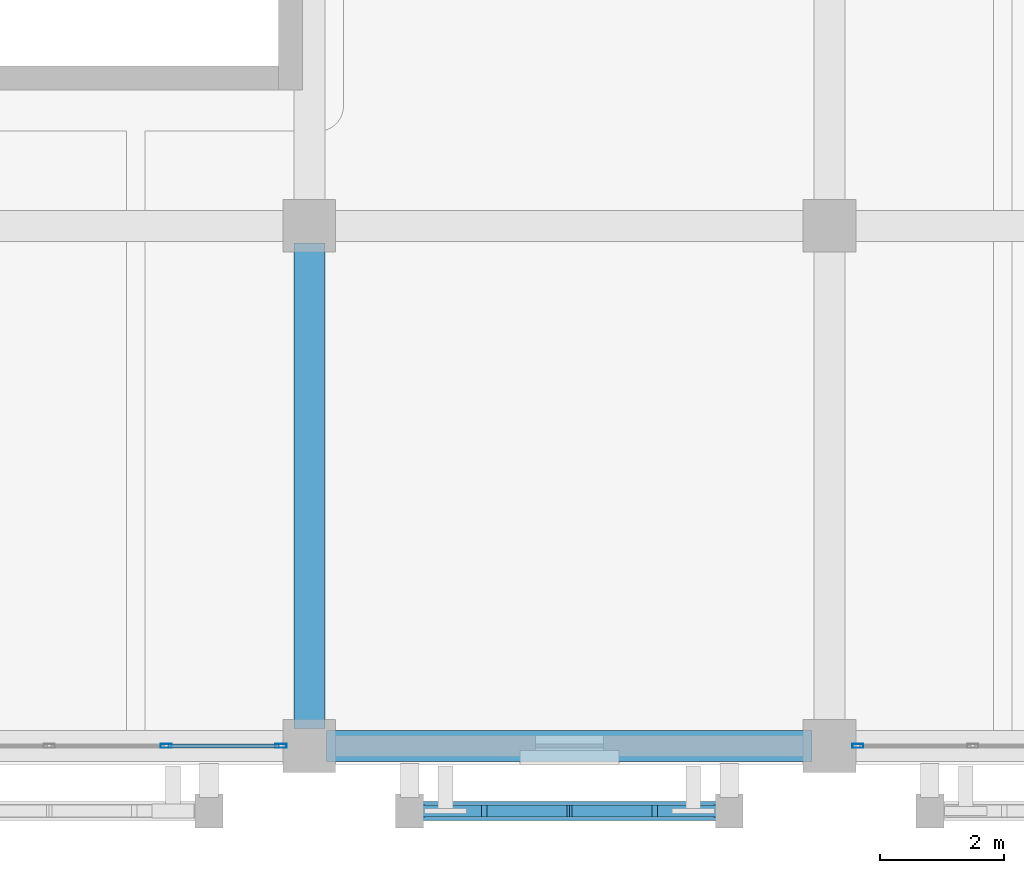
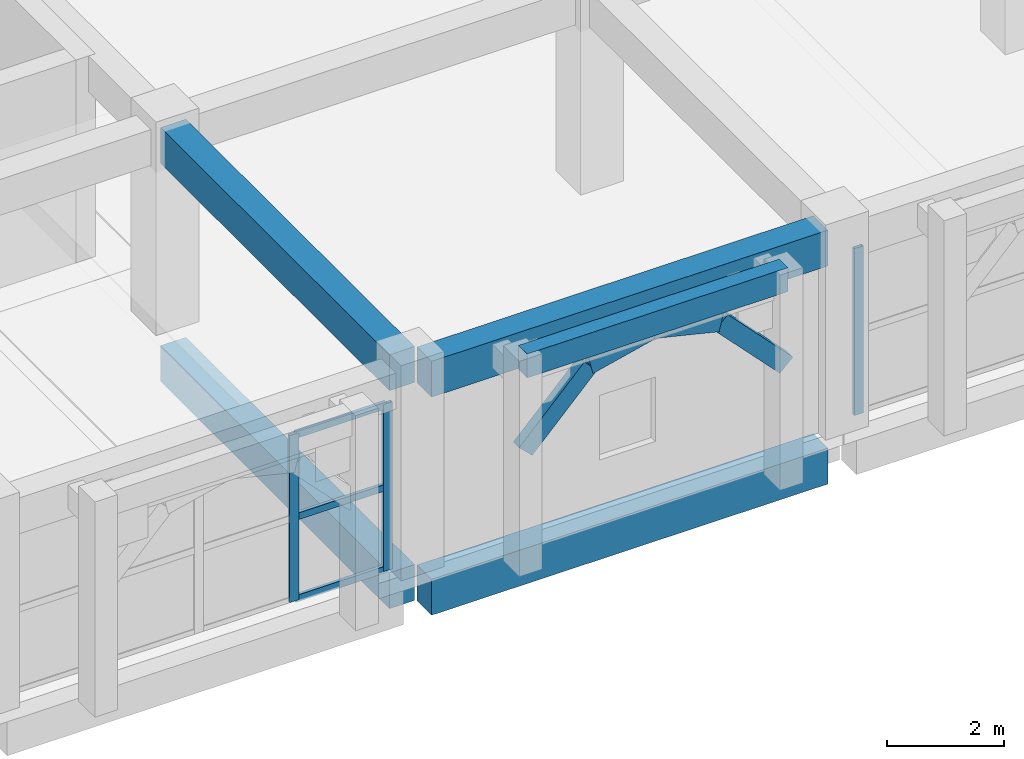
# One storey, part 8 of 129: 10 members, 5 beams, 2 elements without a shape of their own.
"""IFC4 building model written with IfcOpenShell, lengths in metres."""

from ifc_helpers import new_model, si_unit, direction, frame, origin, origin_2d, place, context, subcontext, project, spatial, rectangle, hollow_rectangle, extrude, material, layer, layer_set, material_profile, profile_set, type_object, element, aggregate, save


model = new_model("IFC4")

# Units and contexts
model_context = context("Model", 3, precision=1e-05, world=origin(), true_north=direction((0.0, 1.0)))
body_context = subcontext(model_context, "Body", "Model", "MODEL_VIEW")
ifc_project = project(units=[si_unit("LENGTHUNIT", "METRE"), si_unit("AREAUNIT", "SQUARE_METRE"), si_unit("VOLUMEUNIT", "CUBIC_METRE"), si_unit("PLANEANGLEUNIT", "RADIAN"), si_unit("MASSUNIT", "GRAM", prefix="KILO")], contexts=[model_context])

# Site, building, storey
site_placement = place(None, origin())
site = spatial("IfcSite", under=ifc_project, at=site_placement, CompositionType="ELEMENT")
building_placement = place(site_placement, origin())
building = spatial("IfcBuilding", under=site, at=building_placement, Name="Xazarin Passage Department Store", CompositionType="ELEMENT")
storey_placement = place(building_placement, frame((0.0, 0.0, 9.89990234375)))
storey = spatial("IfcBuildingStorey", under=building, at=storey_placement, Name="L02", CompositionType="ELEMENT", Elevation=9.89990234375)

# Curtain wall, members
ifc_material_1 = material(Name="Bronze anodised aluminium", Category="aluminium")
ifc_layer = layer(ifc_material_1, 0.18994140625)
ifc_layer_set = layer_set([ifc_layer], Name="Bronze anodised aluminium")
curtain_wall_type = type_object("IfcCurtainWallType", Name="ARC-CW-FDH1", PredefinedType="NOTDEFINED", material=ifc_layer_set)
curtain_wall_1_placement = place(storey_placement, origin())
curtain_wall_1 = element("IfcCurtainWall", 1, at=curtain_wall_1_placement, inside=storey, type_object=curtain_wall_type, Name="L02 V3 Curtain Wall 131", PredefinedType="NOTDEFINED")
ifc_material_profile_1 = material_profile(ifc_material_1, hollow_rectangle(XDim=0.06494140625, YDim=0.179931640625, WallThickness=0.00390625, at=origin_2d()), Name="ALU 65x180")
ifc_profile_set_1 = profile_set([ifc_material_profile_1], Name="Bronze anodised aluminium")
member_type_1 = type_object("IfcMemberType", Name="ARC-CWM-65x180", PredefinedType="MULLION", material=ifc_profile_set_1)
member_1_placement = place(storey_placement, frame((31.28759765625, 0.0, 0.0), z_axis=(0.0, 0.0, 1.0), x_axis=(0.0, 1.0, 0.0)))
member_1 = element("IfcMember", 2, at=member_1_placement, type_object=member_type_1, Name="CW5 mullion 4", PredefinedType="MULLION", context=body_context, shape_type="SweptSolid", body=[
    extrude(hollow_rectangle(XDim=0.06494140625, YDim=0.179931640625, WallThickness=0.00390625, at=origin_2d()), origin(), (0.0, 0.0, 1.0), 3.489990234375),
])
member_2_placement = place(storey_placement, frame((33.142578125, 0.0, 0.0), z_axis=(0.0, 0.0, 1.0), x_axis=(0.0, 1.0, 0.0)))
member_2 = element("IfcMember", 3, at=member_2_placement, type_object=member_type_1, Name="CW5 mullion 5", PredefinedType="MULLION", context=body_context, shape_type="SweptSolid", body=[
    extrude(hollow_rectangle(XDim=0.06494140625, YDim=0.179931640625, WallThickness=0.00390625, at=origin_2d()), origin(), (0.0, 0.0, 1.0), 3.489990234375),
])

# Curtain wall, member
curtain_wall_2_placement = place(storey_placement, origin())
curtain_wall_2 = element("IfcCurtainWall", 4, at=curtain_wall_2_placement, inside=storey, type_object=curtain_wall_type, Name="L02 V3 Curtain Wall 132", PredefinedType="NOTDEFINED")
member_3_placement = place(storey_placement, frame((42.45751953125, 0.0, 0.0), z_axis=(0.0, 0.0, 1.0), x_axis=(0.0, 1.0, 0.0)))
member_3 = element("IfcMember", 5, at=member_3_placement, type_object=member_type_1, Name="CW5 mullion 1", PredefinedType="MULLION", context=body_context, shape_type="SweptSolid", body=[
    extrude(hollow_rectangle(XDim=0.06494140625, YDim=0.179931640625, WallThickness=0.00390625, at=origin_2d()), origin(), (0.0, 0.0, 1.0), 3.489990234375),
])
aggregate(curtain_wall_2, [member_3])

# Member
ifc_material_profile_2 = material_profile(ifc_material_1, hollow_rectangle(XDim=0.06494140625, YDim=0.139892578125, WallThickness=0.00390625, at=origin_2d()), Name="ALU 65x140")
ifc_profile_set_2 = profile_set([ifc_material_profile_2], Name="Bronze anodised aluminium")
member_type_2 = type_object("IfcMemberType", Name="ARC-CWT-65x140", PredefinedType="USERDEFINED", material=ifc_profile_set_2)
member_4_placement = place(storey_placement, frame((31.320068359375, 0.0, 0.03271484375), z_axis=(1.0, 0.0, 0.0), x_axis=(0.0, 1.0, 0.0)))
member_4 = element("IfcMember", 6, at=member_4_placement, type_object=member_type_2, Name="CW5 transom 4.1", ObjectType="TRANSOM", PredefinedType="USERDEFINED", context=body_context, shape_type="SweptSolid", body=[
    extrude(hollow_rectangle(XDim=0.06494140625, YDim=0.139892578125, WallThickness=0.00390625, at=origin_2d()), origin(), (0.0, 0.0, 1.0), 1.7900390625),
])

member_5_placement = place(storey_placement, frame((31.320068359375, 0.0, 1.7451171875), z_axis=(1.0, 0.0, 0.0), x_axis=(0.0, 1.0, 0.0)))
member_5 = element("IfcMember", 7, at=member_5_placement, type_object=member_type_2, Name="CW5 transom 4.2", ObjectType="TRANSOM", PredefinedType="USERDEFINED", context=body_context, shape_type="SweptSolid", body=[
    extrude(hollow_rectangle(XDim=0.06494140625, YDim=0.139892578125, WallThickness=0.00390625, at=origin_2d()), origin(), (0.0, 0.0, 1.0), 1.7900390625),
])

member_6_placement = place(storey_placement, frame((31.320068359375, 0.0, 3.45751953125), z_axis=(1.0, 0.0, 0.0), x_axis=(0.0, 1.0, 0.0)))
member_6 = element("IfcMember", 8, at=member_6_placement, type_object=member_type_2, Name="CW5 transom 4.3", ObjectType="TRANSOM", PredefinedType="USERDEFINED", context=body_context, shape_type="SweptSolid", body=[
    extrude(hollow_rectangle(XDim=0.06494140625, YDim=0.139892578125, WallThickness=0.00390625, at=origin_2d()), origin(), (0.0, 0.0, 1.0), 1.7900390625),
])

aggregate(curtain_wall_1, [member_1, member_2, member_4, member_5, member_6])

# Beams
ifc_material_2 = material(Name="Concrete C35/45", Category="concrete")
ifc_material_profile_3 = material_profile(ifc_material_2, rectangle(XDim=0.300048828125, YDim=0.5, at=origin_2d()), Name="RC 300x500")
ifc_profile_set_3 = profile_set([ifc_material_profile_3], Name="Concrete C35/45")
beam_type_1 = type_object("IfcBeamType", Name="STR-BM-LN300x500", PredefinedType="LINTEL", material=ifc_profile_set_3)
beam_placement = place(storey_placement, frame((35.219970703125, -1.050048828125, 4.25), z_axis=(1.0, 0.0, 0.0), x_axis=(0.0, 1.0, 0.0)))
element("IfcBeam", 9, at=beam_placement, inside=storey, type_object=beam_type_1, Name="L02 V3 Colonnade Spandrel Beam 030", PredefinedType="LINTEL", context=body_context, shape_type="SweptSolid", body=[
    extrude(rectangle(XDim=0.300048828125, YDim=0.5, at=origin_2d()), origin(), (0.0, 0.0, 1.0), 5.159912109375),
])
ifc_material_profile_4 = material_profile(ifc_material_2, rectangle(XDim=0.5, YDim=0.75, at=origin_2d()), Name="RC 500x750")
ifc_profile_set_4 = profile_set([ifc_material_profile_4], Name="Concrete C35/45")
beam_type_2 = type_object("IfcBeamType", Name="STR-BM-SP500x750", PredefinedType="SPANDREL", material=ifc_profile_set_4)
for number, where, z_axis, x_axis, name in (
    (10, (33.8798828125, 0.0, -0.69482421875), (1.0, 0.0, 0.0), (0.0, 1.0, 0.0), "L02 Grid Beam A/5-6"),
    (11, (33.60009765625, 0.280029296875, -0.69482421875), (0.0, 1.0, 0.0), (-1.0, 0.0, 0.0), "L02 Grid Beam 5/A-B"),
    (12, (33.8798828125, 0.0, 3.864990234375), (1.0, 0.0, 0.0), (0.0, 1.0, 0.0), "L02 Grid Beam A/5-6"),
    (13, (33.60009765625, 0.280029296875, 3.864990234375), (0.0, 1.0, 0.0), (-1.0, 0.0, 0.0), "L02 Grid Beam 5/A-B"),
):
    element("IfcBeam", number, at=place(storey_placement, frame(where, z_axis=z_axis, x_axis=x_axis)), inside=storey, type_object=beam_type_2, Name=name, PredefinedType="SPANDREL", context=body_context, shape_type="SweptSolid", body=[
        extrude(rectangle(XDim=0.5, YDim=0.75, at=origin_2d()), origin(), (0.0, 0.0, 1.0), 7.840087890625),
    ])

# Members
ifc_material_3 = material(Name="Concrete C40/50", Category="concrete")
ifc_material_profile_5 = material_profile(ifc_material_3, rectangle(XDim=0.199951171875, YDim=0.360107421875, at=origin_2d()), Name="RC 200x360")
ifc_profile_set_5 = profile_set([ifc_material_profile_5], Name="Concrete C40/50")
member_type_3 = type_object("IfcMemberType", Name="STR-MEM-ARC360", PredefinedType="CHORD", material=ifc_profile_set_5)
member_7_placement = place(storey_placement, frame((35.219970703125, -1.050048828125, 2.43017578125), z_axis=(0.693460080602, 0.0, 0.720495049679), x_axis=(0.0, 1.0, 0.0)))
element("IfcMember", 14, at=member_7_placement, inside=storey, type_object=member_type_3, Name="L02 V3 Pierced Lattice Curved Arch 030.1", PredefinedType="CHORD", context=body_context, shape_type="SweptSolid", body=[
    extrude(rectangle(XDim=0.199951171875, YDim=0.360107421875, at=origin_2d()), origin(), (0.0, 0.0, 1.0), 1.8603515625),
])
for number, where, z_axis, x_axis, name in (
    (15, (36.510009765625, -1.050048828125, 3.7705078125), (0.972393983317, 0.0, 0.233345111818), (0.0, 1.0, 0.0), "L02 V3 Pierced Lattice Curved Arch 030.2"),
    (16, (37.800048828125, -1.050048828125, 4.080078125), (0.972393983317, 0.0, -0.233345111818), (0.0, 1.0, 0.0), "L02 V3 Pierced Lattice Curved Arch 030.3"),
):
    element("IfcMember", number, at=place(storey_placement, frame(where, z_axis=z_axis, x_axis=x_axis)), inside=storey, type_object=member_type_3, Name=name, PredefinedType="CHORD", context=body_context, shape_type="SweptSolid", body=[
        extrude(rectangle(XDim=0.199951171875, YDim=0.360107421875, at=origin_2d()), origin(), (0.0, 0.0, 1.0), 1.32666015625),
    ])
member_8_placement = place(storey_placement, frame((39.090087890625, -1.050048828125, 3.7705078125), z_axis=(0.693391944082, 0.0, -0.720560623322), x_axis=(0.0, 1.0, 0.0)))
element("IfcMember", 17, at=member_8_placement, inside=storey, type_object=member_type_3, Name="L02 V3 Pierced Lattice Curved Arch 030.4", PredefinedType="CHORD", context=body_context, shape_type="SweptSolid", body=[
    extrude(rectangle(XDim=0.199951171875, YDim=0.360107421875, at=origin_2d()), origin(), (0.0, 0.0, 1.0), 1.860107421875),
])

save(model, "model.ifc")
